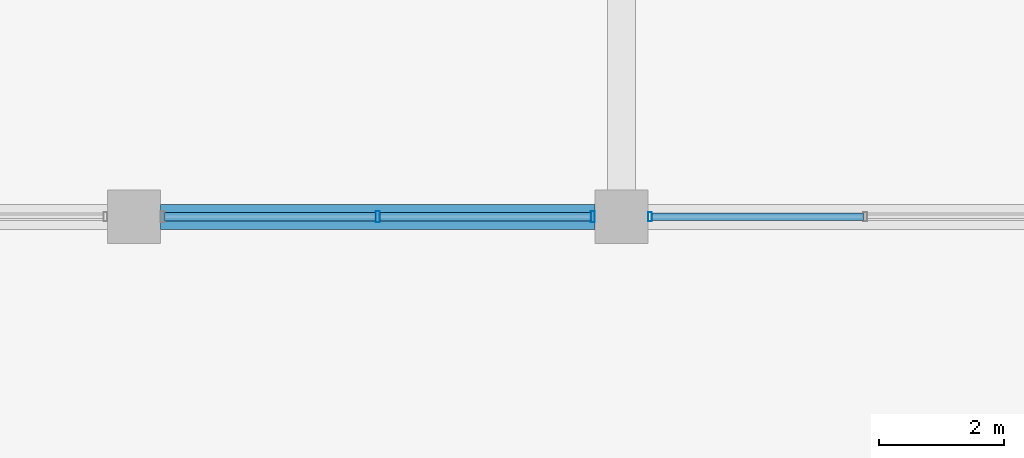
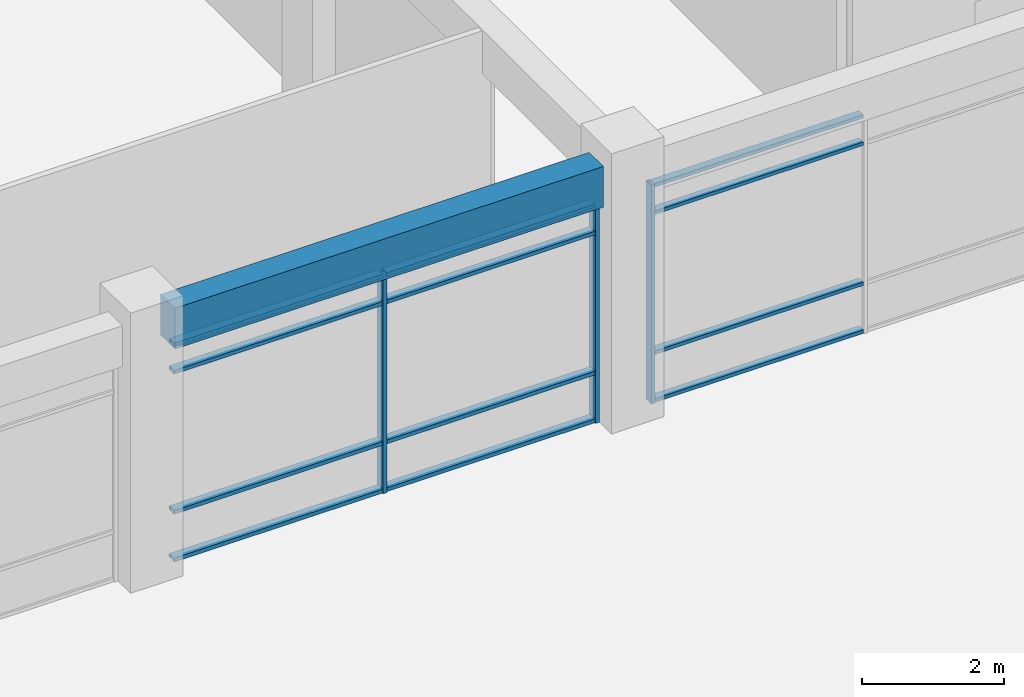
# One storey, part 25 of 74: 15 members, 1 beam, 2 elements without a shape of their own.
"""IFC4 building model written with IfcOpenShell, lengths in metres."""

import ifcopenshell
import ifcopenshell.guid

model = None  # the IFC model being written
_history = None  # IfcOwnerHistory: only IFC2X3 demands one
_inside = {}  # id of a spatial element -> (the spatial element, [elements in it])
_under = {}  # id of a project, library or spatial element -> (it, [spatial elements below it])
_declared = {}  # id of a project -> (the project, [libraries it declares])
_typed = {}  # id of a type object -> (the type object, [elements of that type])
_made_of = {}  # id of a material, layer set ... -> (it, [elements and type objects made of it])


def new_model(schema):
    """Start an empty IFC model of exactly this schema.

    Asked for "IFC4X3", IfcOpenShell would pick the latest addendum, in which some entities
    have other attributes; the version numbers below select the first issue.
    IFC2X3 requires an IfcOwnerHistory on every rooted entity: one is made here for all.
    """
    global model, _history
    if schema == "IFC4X3":
        model = ifcopenshell.file(schema_version=(4, 3, 0, 0))
    else:
        model = ifcopenshell.file(schema=schema)
    _inside.clear()
    _under.clear()
    _declared.clear()
    _typed.clear()
    _made_of.clear()
    _history = None
    if model.schema == "IFC2X3":
        org = make("IfcOrganization", Name="unknown")
        user = make(
            "IfcPersonAndOrganization",
            ThePerson=make("IfcPerson", FamilyName="unknown"),
            TheOrganization=org,
        )
        app = make(
            "IfcApplication",
            ApplicationDeveloper=org,
            Version="unknown",
            ApplicationFullName="unknown",
            ApplicationIdentifier="unknown",
        )
        _history = make(
            "IfcOwnerHistory",
            OwningUser=user,
            OwningApplication=app,
            ChangeAction="ADDED",
            CreationDate=0,
        )
    return model


def make(cls, **values):
    """One entity of the class cls with the attributes given. An attribute that is None is left unset."""
    return model.create_entity(
        cls, **{name: value for name, value in values.items() if value is not None}
    )


def rooted(cls, **values):
    """An entity with a GlobalId (a new one), such as an element, a storey or a relation."""
    return make(cls, GlobalId=ifcopenshell.guid.new(), OwnerHistory=_history, **values)


def si_unit(unit_type, name, prefix=None):
    """IfcSIUnit, for example si_unit("LENGTHUNIT", "METRE", prefix="MILLI")."""
    return make("IfcSIUnit", UnitType=unit_type, Prefix=prefix, Name=name)


def assignment(units):
    """IfcUnitAssignment: the units of a project."""
    return None if units is None else make("IfcUnitAssignment", Units=units)


def point(xyz):
    """IfcCartesianPoint."""
    return None if xyz is None else make("IfcCartesianPoint", Coordinates=xyz)


def direction(xyz):
    """IfcDirection."""
    return None if xyz is None else make("IfcDirection", DirectionRatios=xyz)


def frame(location, z_axis=None, x_axis=None):
    """IfcAxis2Placement3D, a coordinate frame: its origin and axes. An axis left out is left unset."""
    return make(
        "IfcAxis2Placement3D",
        Location=point(location),
        Axis=direction(z_axis),
        RefDirection=direction(x_axis),
    )


def frame_2d(location, x_axis=None):
    """IfcAxis2Placement2D, a coordinate frame in the plane: its origin and x axis."""
    return make(
        "IfcAxis2Placement2D", Location=point(location), RefDirection=direction(x_axis)
    )


def origin():
    """The frame at (0, 0, 0) with its axes left unset."""
    return frame((0.0, 0.0, 0.0))


def origin_2d():
    """The frame at (0, 0) in the plane with its x axis left unset."""
    return frame_2d((0.0, 0.0))


def place(relative_to, where):
    """IfcLocalPlacement: puts the frame where relative to a parent placement (None: the world)."""
    return make(
        "IfcLocalPlacement", PlacementRelTo=relative_to, RelativePlacement=where
    )


def context(
    kind, dimensions, precision=None, world=None, true_north=None, identifier=None
):
    """IfcGeometricRepresentationContext, for example the 3D "Model" context."""
    return make(
        "IfcGeometricRepresentationContext",
        ContextIdentifier=identifier,
        ContextType=kind,
        CoordinateSpaceDimension=dimensions,
        Precision=precision,
        WorldCoordinateSystem=world,
        TrueNorth=true_north,
    )


def subcontext(parent, identifier, kind, view, scale=None):
    """IfcGeometricRepresentationSubContext, for example "Body" below "Model"."""
    return make(
        "IfcGeometricRepresentationSubContext",
        ContextIdentifier=identifier,
        ContextType=kind,
        ParentContext=parent,
        TargetScale=scale,
        TargetView=view,
    )


def project(units=None, contexts=None):
    """IfcProject with its units and contexts."""
    return rooted(
        "IfcProject",
        Name="project",
        RepresentationContexts=contexts,
        UnitsInContext=assignment(units),
    )


def spatial(cls, under=None, at=None, **own):
    """A site, building, storey or space (cls), placed at a placement, below another one or the project."""
    s = rooted(cls, ObjectPlacement=at, **own)
    if under is not None:
        _under.setdefault(under.id(), (under, []))[1].append(s)
    return s


def profile(cls, at=None, kind="AREA", **sizes):
    """A parametric profile (cls). Its sizes go by their IFC names, for example OverallWidth=200.0."""
    return make(cls, ProfileType=kind, Position=at, **sizes)


def rectangle(**sizes):
    """IfcRectangleProfileDef."""
    return profile("IfcRectangleProfileDef", **sizes)


def hollow_rectangle(**sizes):
    """IfcRectangleHollowProfileDef."""
    return profile("IfcRectangleHollowProfileDef", **sizes)


def extrude(swept, where, along, depth):
    """IfcExtrudedAreaSolid: the profile swept, set in the frame where, extruded along a direction by depth."""
    return make(
        "IfcExtrudedAreaSolid",
        SweptArea=swept,
        Position=where,
        ExtrudedDirection=direction(along),
        Depth=depth,
    )


def shape(context_of_items, identifier, shape_type, items):
    """IfcShapeRepresentation: the items that make up one representation, for example the "Body"."""
    return make(
        "IfcShapeRepresentation",
        ContextOfItems=context_of_items,
        RepresentationIdentifier=identifier,
        RepresentationType=shape_type,
        Items=items,
    )


def material(Name=None, Category=None):
    """IfcMaterial."""
    return make("IfcMaterial", Name=Name, Category=Category)


def material_profile(
    of_material, cross_section, Name=None, Category=None, Priority=None
):
    """IfcMaterialProfile: a cross section and its material."""
    return make(
        "IfcMaterialProfile",
        Name=Name,
        Material=of_material,
        Profile=cross_section,
        Priority=Priority,
        Category=Category,
    )


def profile_set(profiles, Name=None, composite=None):
    """IfcMaterialProfileSet."""
    return make(
        "IfcMaterialProfileSet",
        Name=Name,
        MaterialProfiles=profiles,
        CompositeProfile=composite,
    )


def made_of(thing, what):
    """Note that an element or type object is made of a material, layer set ...; save() writes the relation."""
    if what is not None:
        _made_of.setdefault(what.id(), (what, []))[1].append(thing)
    return thing


def type_object(cls, material=None, **own):
    """A type object (cls), such as IfcWallType, which elements share."""
    return made_of(rooted(cls, **own), material)


def element(
    cls,
    number,
    at=None,
    inside=None,
    cuts=None,
    type_object=None,
    material=None,
    context=None,
    identifier="Body",
    shape_type=None,
    held_by="IfcProductDefinitionShape",
    body=None,
    shapes=None,
    **own,
):
    """One element of the class cls, such as IfcWall. Its Tag is "e" and its number.

    at: its placement. inside: the storey or other place that contains it. cuts: it is an
    opening in that element (IfcRelVoidsElement). A single representation is given by context,
    identifier, shape_type and body (its items); several are given by shapes. held_by: the class
    of the entity that holds the representations. save() writes the other relations.
    """
    e = rooted(cls, Tag="e%d" % number, ObjectPlacement=at, **own)
    if body is not None:
        shapes = [shape(context, identifier, shape_type, body)]
    if shapes is not None:
        e.Representation = make(held_by, Representations=shapes)
    if inside is not None:
        _inside.setdefault(inside.id(), (inside, []))[1].append(e)
    if cuts is not None:
        rooted(
            "IfcRelVoidsElement", RelatingBuildingElement=cuts, RelatedOpeningElement=e
        )
    if type_object is not None:
        _typed.setdefault(type_object.id(), (type_object, []))[1].append(e)
    return made_of(e, material)


def aggregate(whole, parts):
    """IfcRelAggregates: a whole, such as a stair, and the parts it consists of."""
    return rooted("IfcRelAggregates", RelatingObject=whole, RelatedObjects=parts)


def save(model, path):
    """Write the relations noted so far, then the file.

    IfcRelAggregates (storeys below a building ...), IfcRelContainedInSpatialStructure (elements
    in a storey), IfcRelDefinesByType, IfcRelAssociatesMaterial and IfcRelDeclares: one each for
    every whole, place, type object, material and project.
    """
    for whole, parts in _under.values():
        aggregate(whole, parts)
    for where, things in _inside.values():
        rooted(
            "IfcRelContainedInSpatialStructure",
            RelatedElements=things,
            RelatingStructure=where,
        )
    for kind, things in _typed.values():
        rooted("IfcRelDefinesByType", RelatedObjects=things, RelatingType=kind)
    for what, things in _made_of.values():
        rooted("IfcRelAssociatesMaterial", RelatedObjects=things, RelatingMaterial=what)
    for by, libraries in _declared.values():
        rooted("IfcRelDeclares", RelatingContext=by, RelatedDefinitions=libraries)
    model.write(path)


model = new_model("IFC4")

# Units and contexts
model_context = context("Model", 3, precision=1e-05, world=origin(), true_north=direction((0.0, 1.0)))
body_context = subcontext(model_context, "Body", "Model", "MODEL_VIEW")
ifc_project = project(units=[si_unit("LENGTHUNIT", "METRE"), si_unit("AREAUNIT", "SQUARE_METRE"), si_unit("VOLUMEUNIT", "CUBIC_METRE"), si_unit("PLANEANGLEUNIT", "RADIAN"), si_unit("MASSUNIT", "GRAM", prefix="KILO"), si_unit("THERMODYNAMICTEMPERATUREUNIT", "KELVIN"), si_unit("POWERUNIT", "WATT")], contexts=[model_context])

# Site, building, storey
site_placement = place(None, origin())
site = spatial("IfcSite", under=ifc_project, at=site_placement, CompositionType="ELEMENT")
building_placement = place(site_placement, origin())
building = spatial("IfcBuilding", under=site, at=building_placement, Name="Srebrne Nadtorze General Hospital", CompositionType="ELEMENT")
storey_placement = place(building_placement, origin())
storey = spatial("IfcBuildingStorey", under=building, at=storey_placement, Name="L00", CompositionType="ELEMENT", Elevation=0.0)

# Curtain wall, member
ifc_material_1 = material(Name="Anodised Aluminium", Category="aluminium")
curtain_wall_type = type_object("IfcCurtainWallType", Name="Unitised curtain wall 6950x3750", PredefinedType="NOTDEFINED", material=ifc_material_1)
curtain_wall_1_placement = place(storey_placement, origin())
curtain_wall_1 = element("IfcCurtainWall", 1, at=curtain_wall_1_placement, inside=storey, type_object=curtain_wall_type, Name="Curtain wall CW-016", PredefinedType="NOTDEFINED")
ifc_material_2 = material(Name="Anodised Aluminium", Category="aluminium")
ifc_material_profile_1 = material_profile(ifc_material_2, hollow_rectangle(XDim=0.06005859375, YDim=0.14990234375, WallThickness=0.00390625, at=origin_2d()), Name="AL-MUL-60x150")
ifc_profile_set_1 = profile_set([ifc_material_profile_1], Name="Anodised Aluminium")
member_type_1 = type_object("IfcMemberType", Name="Curtain mullion 60x150", PredefinedType="MULLION", material=ifc_profile_set_1)
member_1_placement = place(storey_placement, frame((78.455078125, 50.39990234375, 0.0), z_axis=(0.0, 0.0, 1.0), x_axis=(1.0, 0.0, 0.0)))
member_1 = element("IfcMember", 2, at=member_1_placement, type_object=member_type_1, Name="CW-016 mullion 1", PredefinedType="MULLION", context=body_context, shape_type="SweptSolid", body=[
    extrude(hollow_rectangle(XDim=0.06005859375, YDim=0.14990234375, WallThickness=0.00390625, at=origin_2d()), origin(), (0.0, 0.0, 1.0), 3.75),
])

# Curtain wall, members
curtain_wall_2_placement = place(storey_placement, origin())
curtain_wall_2 = element("IfcCurtainWall", 3, at=curtain_wall_2_placement, inside=storey, type_object=curtain_wall_type, Name="Curtain wall CW-015", PredefinedType="NOTDEFINED")
ifc_material_3 = material(Name="Anodised Aluminium", Category="aluminium")
ifc_material_profile_2 = material_profile(ifc_material_3, hollow_rectangle(XDim=0.06494140625, YDim=0.179931640625, WallThickness=0.00390625, at=origin_2d()), Name="AL-MUL-65x180")
ifc_profile_set_2 = profile_set([ifc_material_profile_2], Name="Anodised Aluminium")
member_type_2 = type_object("IfcMemberType", Name="Curtain mullion 65x180", PredefinedType="MULLION", material=ifc_profile_set_2)
member_2_placement = place(storey_placement, frame((74.10009765625, 50.39990234375, 0.0), z_axis=(0.0, 0.0, 1.0), x_axis=(1.0, 0.0, 0.0)))
member_2 = element("IfcMember", 4, at=member_2_placement, type_object=member_type_2, Name="CW-015 mullion 2", PredefinedType="MULLION", context=body_context, shape_type="SweptSolid", body=[
    extrude(hollow_rectangle(XDim=0.06494140625, YDim=0.179931640625, WallThickness=0.00390625, at=origin_2d()), origin(), (0.0, 0.0, 1.0), 3.75),
])
member_3_placement = place(storey_placement, frame((77.54248046875, 50.39990234375, 0.0), z_axis=(0.0, 0.0, 1.0), x_axis=(1.0, 0.0, 0.0)))
member_3 = element("IfcMember", 5, at=member_3_placement, type_object=member_type_2, Name="CW-015 mullion 3", PredefinedType="MULLION", context=body_context, shape_type="SweptSolid", body=[
    extrude(hollow_rectangle(XDim=0.06494140625, YDim=0.179931640625, WallThickness=0.00390625, at=origin_2d()), origin(), (0.0, 0.0, 1.0), 3.75),
])

# Member
ifc_material_4 = material(Name="Anodised Aluminium", Category="aluminium")
ifc_material_profile_3 = material_profile(ifc_material_4, hollow_rectangle(XDim=0.06005859375, YDim=0.1201171875, WallThickness=0.00390625, at=origin_2d()), Name="AL-TRN-60x120")
ifc_profile_set_3 = profile_set([ifc_material_profile_3], Name="Anodised Aluminium")
member_type_3 = type_object("IfcMemberType", Name="Curtain transom 60x120", PredefinedType="USERDEFINED", material=ifc_profile_set_3)
member_4_placement = place(storey_placement, frame((78.485107421875, 50.39990234375, 0.030029296875), z_axis=(1.0, 0.0, 0.0), x_axis=(0.0, 0.0, 1.0)))
member_4 = element("IfcMember", 6, at=member_4_placement, type_object=member_type_3, Name="CW-016 transom 1.1", ObjectType="TRANSOM", PredefinedType="USERDEFINED", context=body_context, shape_type="SweptSolid", body=[
    extrude(hollow_rectangle(XDim=0.06005859375, YDim=0.1201171875, WallThickness=0.00390625, at=origin_2d()), origin(), (0.0, 0.0, 1.0), 3.385009765625),
])

member_5_placement = place(storey_placement, frame((78.485107421875, 50.39990234375, 0.85009765625), z_axis=(1.0, 0.0, 0.0), x_axis=(0.0, 0.0, 1.0)))
member_5 = element("IfcMember", 7, at=member_5_placement, type_object=member_type_3, Name="CW-016 transom 1.2", ObjectType="TRANSOM", PredefinedType="USERDEFINED", context=body_context, shape_type="SweptSolid", body=[
    extrude(hollow_rectangle(XDim=0.06005859375, YDim=0.1201171875, WallThickness=0.00390625, at=origin_2d()), origin(), (0.0, 0.0, 1.0), 3.385009765625),
])

member_6_placement = place(storey_placement, frame((78.485107421875, 50.39990234375, 3.25), z_axis=(1.0, 0.0, 0.0), x_axis=(0.0, 0.0, 1.0)))
member_6 = element("IfcMember", 8, at=member_6_placement, type_object=member_type_3, Name="CW-016 transom 1.3", ObjectType="TRANSOM", PredefinedType="USERDEFINED", context=body_context, shape_type="SweptSolid", body=[
    extrude(hollow_rectangle(XDim=0.06005859375, YDim=0.1201171875, WallThickness=0.00390625, at=origin_2d()), origin(), (0.0, 0.0, 1.0), 3.385009765625),
])

member_7_placement = place(storey_placement, frame((78.485107421875, 50.39990234375, 3.719970703125), z_axis=(1.0, 0.0, 0.0), x_axis=(0.0, 0.0, 1.0)))
member_7 = element("IfcMember", 9, at=member_7_placement, type_object=member_type_3, Name="CW-016 transom 1.4", ObjectType="TRANSOM", PredefinedType="USERDEFINED", context=body_context, shape_type="SweptSolid", body=[
    extrude(hollow_rectangle(XDim=0.06005859375, YDim=0.1201171875, WallThickness=0.00390625, at=origin_2d()), origin(), (0.0, 0.0, 1.0), 3.385009765625),
])

aggregate(curtain_wall_1, [member_1, member_4, member_5, member_6, member_7])

ifc_material_5 = material(Name="Anodised Aluminium", Category="aluminium")
ifc_material_profile_4 = material_profile(ifc_material_5, hollow_rectangle(XDim=0.06494140625, YDim=0.139892578125, WallThickness=0.00390625, at=origin_2d()), Name="AL-TRN-65x140")
ifc_profile_set_4 = profile_set([ifc_material_profile_4], Name="Anodised Aluminium")
member_type_4 = type_object("IfcMemberType", Name="Curtain transom 65x140", PredefinedType="USERDEFINED", material=ifc_profile_set_4)
member_8_placement = place(storey_placement, frame((70.68994140625, 50.39990234375, 0.032470703125), z_axis=(1.0, 0.0, 0.0), x_axis=(0.0, 0.0, 1.0)))
member_8 = element("IfcMember", 10, at=member_8_placement, type_object=member_type_4, Name="CW-015 transom 1.1", ObjectType="TRANSOM", PredefinedType="USERDEFINED", context=body_context, shape_type="SweptSolid", body=[
    extrude(hollow_rectangle(XDim=0.06494140625, YDim=0.139892578125, WallThickness=0.00390625, at=origin_2d()), origin(), (0.0, 0.0, 1.0), 3.37744140625),
])

member_9_placement = place(storey_placement, frame((70.68994140625, 50.39990234375, 0.85009765625), z_axis=(1.0, 0.0, 0.0), x_axis=(0.0, 0.0, 1.0)))
member_9 = element("IfcMember", 11, at=member_9_placement, type_object=member_type_4, Name="CW-015 transom 1.2", ObjectType="TRANSOM", PredefinedType="USERDEFINED", context=body_context, shape_type="SweptSolid", body=[
    extrude(hollow_rectangle(XDim=0.06494140625, YDim=0.139892578125, WallThickness=0.00390625, at=origin_2d()), origin(), (0.0, 0.0, 1.0), 3.37744140625),
])

member_10_placement = place(storey_placement, frame((70.68994140625, 50.39990234375, 3.25), z_axis=(1.0, 0.0, 0.0), x_axis=(0.0, 0.0, 1.0)))
member_10 = element("IfcMember", 12, at=member_10_placement, type_object=member_type_4, Name="CW-015 transom 1.3", ObjectType="TRANSOM", PredefinedType="USERDEFINED", context=body_context, shape_type="SweptSolid", body=[
    extrude(hollow_rectangle(XDim=0.06494140625, YDim=0.139892578125, WallThickness=0.00390625, at=origin_2d()), origin(), (0.0, 0.0, 1.0), 3.37744140625),
])

member_11_placement = place(storey_placement, frame((70.68994140625, 50.39990234375, 3.717529296875), z_axis=(1.0, 0.0, 0.0), x_axis=(0.0, 0.0, 1.0)))
member_11 = element("IfcMember", 13, at=member_11_placement, type_object=member_type_4, Name="CW-015 transom 1.4", ObjectType="TRANSOM", PredefinedType="USERDEFINED", context=body_context, shape_type="SweptSolid", body=[
    extrude(hollow_rectangle(XDim=0.06494140625, YDim=0.139892578125, WallThickness=0.00390625, at=origin_2d()), origin(), (0.0, 0.0, 1.0), 3.37744140625),
])

member_12_placement = place(storey_placement, frame((74.132568359375, 50.39990234375, 0.032470703125), z_axis=(1.0, 0.0, 0.0), x_axis=(0.0, 0.0, 1.0)))
member_12 = element("IfcMember", 14, at=member_12_placement, type_object=member_type_4, Name="CW-015 transom 2.1", ObjectType="TRANSOM", PredefinedType="USERDEFINED", context=body_context, shape_type="SweptSolid", body=[
    extrude(hollow_rectangle(XDim=0.06494140625, YDim=0.139892578125, WallThickness=0.00390625, at=origin_2d()), origin(), (0.0, 0.0, 1.0), 3.37744140625),
])

member_13_placement = place(storey_placement, frame((74.132568359375, 50.39990234375, 0.85009765625), z_axis=(1.0, 0.0, 0.0), x_axis=(0.0, 0.0, 1.0)))
member_13 = element("IfcMember", 15, at=member_13_placement, type_object=member_type_4, Name="CW-015 transom 2.2", ObjectType="TRANSOM", PredefinedType="USERDEFINED", context=body_context, shape_type="SweptSolid", body=[
    extrude(hollow_rectangle(XDim=0.06494140625, YDim=0.139892578125, WallThickness=0.00390625, at=origin_2d()), origin(), (0.0, 0.0, 1.0), 3.37744140625),
])

member_14_placement = place(storey_placement, frame((74.132568359375, 50.39990234375, 3.25), z_axis=(1.0, 0.0, 0.0), x_axis=(0.0, 0.0, 1.0)))
member_14 = element("IfcMember", 16, at=member_14_placement, type_object=member_type_4, Name="CW-015 transom 2.3", ObjectType="TRANSOM", PredefinedType="USERDEFINED", context=body_context, shape_type="SweptSolid", body=[
    extrude(hollow_rectangle(XDim=0.06494140625, YDim=0.139892578125, WallThickness=0.00390625, at=origin_2d()), origin(), (0.0, 0.0, 1.0), 3.37744140625),
])

member_15_placement = place(storey_placement, frame((74.132568359375, 50.39990234375, 3.717529296875), z_axis=(1.0, 0.0, 0.0), x_axis=(0.0, 0.0, 1.0)))
member_15 = element("IfcMember", 17, at=member_15_placement, type_object=member_type_4, Name="CW-015 transom 2.4", ObjectType="TRANSOM", PredefinedType="USERDEFINED", context=body_context, shape_type="SweptSolid", body=[
    extrude(hollow_rectangle(XDim=0.06494140625, YDim=0.139892578125, WallThickness=0.00390625, at=origin_2d()), origin(), (0.0, 0.0, 1.0), 3.37744140625),
])

aggregate(curtain_wall_2, [member_2, member_3, member_8, member_9, member_10, member_11, member_12, member_13, member_14, member_15])

# Beam
ifc_material_6 = material(Name="Concrete C40/50", Category="concrete")
ifc_material_profile_5 = material_profile(ifc_material_6, rectangle(XDim=0.39990234375, YDim=0.699951171875, at=origin_2d()), Name="RC-BM-400x700")
ifc_profile_set_5 = profile_set([ifc_material_profile_5], Name="Concrete C40/50")
beam_type = type_object("IfcBeamType", Name="Edge beam RC 400x700", PredefinedType="BEAM", material=ifc_profile_set_5)
beam_placement = place(storey_placement, frame((70.625, 50.39990234375, 4.10009765625), z_axis=(1.0, 0.0, 0.0), x_axis=(0.0, 1.0, 0.0)))
element("IfcBeam", 18, at=beam_placement, inside=storey, type_object=beam_type, Name="Beam BM-L00-X-0229", PredefinedType="BEAM", context=body_context, shape_type="SweptSolid", body=[
    extrude(rectangle(XDim=0.39990234375, YDim=0.699951171875, at=origin_2d()), origin(), (0.0, 0.0, 1.0), 6.949951171875),
])

save(model, "model.ifc")
